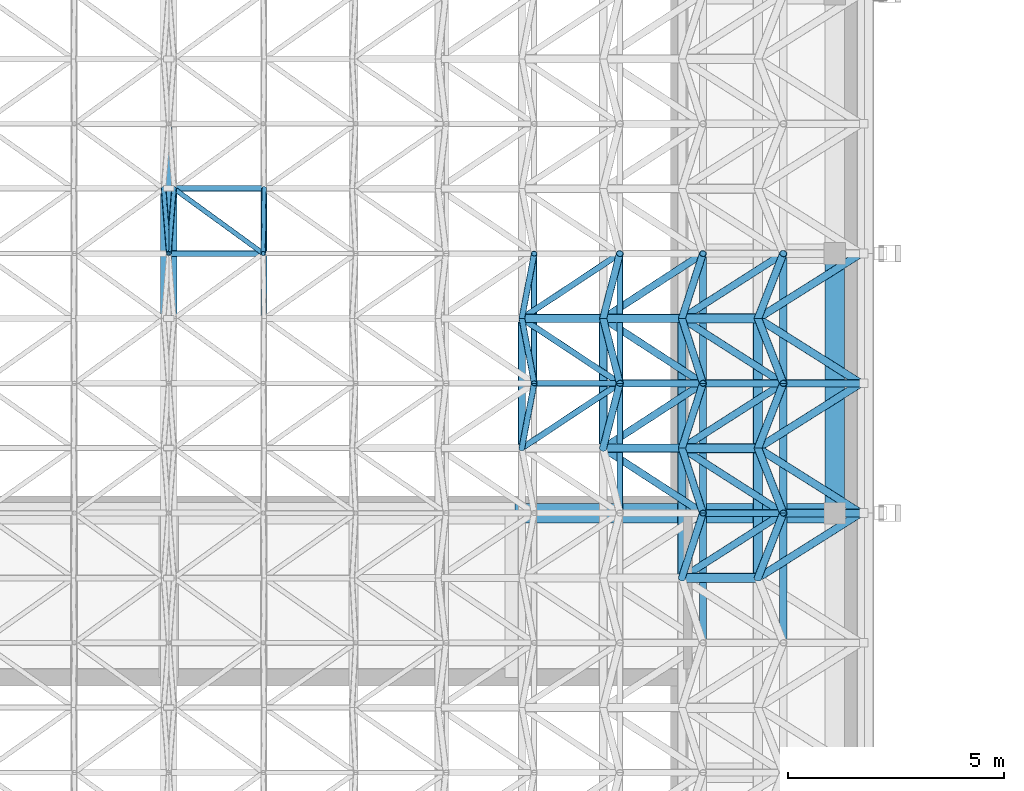
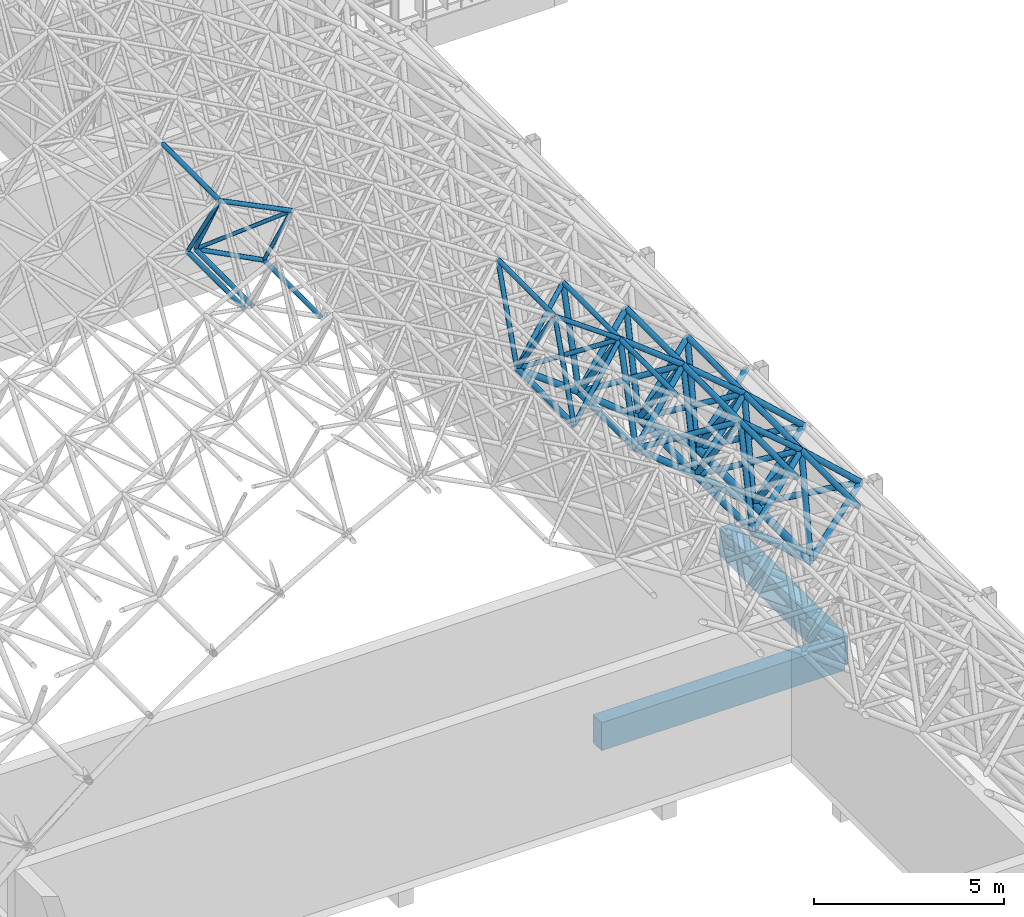
# One storey, part 21 of 141: 70 members, 2 beams.
"""IFC4 building model written with IfcOpenShell, lengths in metres."""

import ifcopenshell
import ifcopenshell.guid

model = None  # the IFC model being written
_history = None  # IfcOwnerHistory: only IFC2X3 demands one
_inside = {}  # id of a spatial element -> (the spatial element, [elements in it])
_under = {}  # id of a project, library or spatial element -> (it, [spatial elements below it])
_declared = {}  # id of a project -> (the project, [libraries it declares])
_typed = {}  # id of a type object -> (the type object, [elements of that type])
_made_of = {}  # id of a material, layer set ... -> (it, [elements and type objects made of it])


def new_model(schema):
    """Start an empty IFC model of exactly this schema.

    Asked for "IFC4X3", IfcOpenShell would pick the latest addendum, in which some entities
    have other attributes; the version numbers below select the first issue.
    IFC2X3 requires an IfcOwnerHistory on every rooted entity: one is made here for all.
    """
    global model, _history
    if schema == "IFC4X3":
        model = ifcopenshell.file(schema_version=(4, 3, 0, 0))
    else:
        model = ifcopenshell.file(schema=schema)
    _inside.clear()
    _under.clear()
    _declared.clear()
    _typed.clear()
    _made_of.clear()
    _history = None
    if model.schema == "IFC2X3":
        org = make("IfcOrganization", Name="unknown")
        user = make(
            "IfcPersonAndOrganization",
            ThePerson=make("IfcPerson", FamilyName="unknown"),
            TheOrganization=org,
        )
        app = make(
            "IfcApplication",
            ApplicationDeveloper=org,
            Version="unknown",
            ApplicationFullName="unknown",
            ApplicationIdentifier="unknown",
        )
        _history = make(
            "IfcOwnerHistory",
            OwningUser=user,
            OwningApplication=app,
            ChangeAction="ADDED",
            CreationDate=0,
        )
    return model


def make(cls, **values):
    """One entity of the class cls with the attributes given. An attribute that is None is left unset."""
    return model.create_entity(
        cls, **{name: value for name, value in values.items() if value is not None}
    )


def rooted(cls, **values):
    """An entity with a GlobalId (a new one), such as an element, a storey or a relation."""
    return make(cls, GlobalId=ifcopenshell.guid.new(), OwnerHistory=_history, **values)


def si_unit(unit_type, name, prefix=None):
    """IfcSIUnit, for example si_unit("LENGTHUNIT", "METRE", prefix="MILLI")."""
    return make("IfcSIUnit", UnitType=unit_type, Prefix=prefix, Name=name)


def assignment(units):
    """IfcUnitAssignment: the units of a project."""
    return None if units is None else make("IfcUnitAssignment", Units=units)


def point(xyz):
    """IfcCartesianPoint."""
    return None if xyz is None else make("IfcCartesianPoint", Coordinates=xyz)


def direction(xyz):
    """IfcDirection."""
    return None if xyz is None else make("IfcDirection", DirectionRatios=xyz)


def frame(location, z_axis=None, x_axis=None):
    """IfcAxis2Placement3D, a coordinate frame: its origin and axes. An axis left out is left unset."""
    return make(
        "IfcAxis2Placement3D",
        Location=point(location),
        Axis=direction(z_axis),
        RefDirection=direction(x_axis),
    )


def frame_2d(location, x_axis=None):
    """IfcAxis2Placement2D, a coordinate frame in the plane: its origin and x axis."""
    return make(
        "IfcAxis2Placement2D", Location=point(location), RefDirection=direction(x_axis)
    )


def origin():
    """The frame at (0, 0, 0) with its axes left unset."""
    return frame((0.0, 0.0, 0.0))


def origin_2d():
    """The frame at (0, 0) in the plane with its x axis left unset."""
    return frame_2d((0.0, 0.0))


def place(relative_to, where):
    """IfcLocalPlacement: puts the frame where relative to a parent placement (None: the world)."""
    return make(
        "IfcLocalPlacement", PlacementRelTo=relative_to, RelativePlacement=where
    )


def context(
    kind, dimensions, precision=None, world=None, true_north=None, identifier=None
):
    """IfcGeometricRepresentationContext, for example the 3D "Model" context."""
    return make(
        "IfcGeometricRepresentationContext",
        ContextIdentifier=identifier,
        ContextType=kind,
        CoordinateSpaceDimension=dimensions,
        Precision=precision,
        WorldCoordinateSystem=world,
        TrueNorth=true_north,
    )


def subcontext(parent, identifier, kind, view, scale=None):
    """IfcGeometricRepresentationSubContext, for example "Body" below "Model"."""
    return make(
        "IfcGeometricRepresentationSubContext",
        ContextIdentifier=identifier,
        ContextType=kind,
        ParentContext=parent,
        TargetScale=scale,
        TargetView=view,
    )


def project(units=None, contexts=None):
    """IfcProject with its units and contexts."""
    return rooted(
        "IfcProject",
        Name="project",
        RepresentationContexts=contexts,
        UnitsInContext=assignment(units),
    )


def spatial(cls, under=None, at=None, **own):
    """A site, building, storey or space (cls), placed at a placement, below another one or the project."""
    s = rooted(cls, ObjectPlacement=at, **own)
    if under is not None:
        _under.setdefault(under.id(), (under, []))[1].append(s)
    return s


def profile(cls, at=None, kind="AREA", **sizes):
    """A parametric profile (cls). Its sizes go by their IFC names, for example OverallWidth=200.0."""
    return make(cls, ProfileType=kind, Position=at, **sizes)


def rectangle(**sizes):
    """IfcRectangleProfileDef."""
    return profile("IfcRectangleProfileDef", **sizes)


def hollow_circle(**sizes):
    """IfcCircleHollowProfileDef."""
    return profile("IfcCircleHollowProfileDef", **sizes)


def extrude(swept, where, along, depth):
    """IfcExtrudedAreaSolid: the profile swept, set in the frame where, extruded along a direction by depth."""
    return make(
        "IfcExtrudedAreaSolid",
        SweptArea=swept,
        Position=where,
        ExtrudedDirection=direction(along),
        Depth=depth,
    )


def shape(context_of_items, identifier, shape_type, items):
    """IfcShapeRepresentation: the items that make up one representation, for example the "Body"."""
    return make(
        "IfcShapeRepresentation",
        ContextOfItems=context_of_items,
        RepresentationIdentifier=identifier,
        RepresentationType=shape_type,
        Items=items,
    )


def material(Name=None, Category=None):
    """IfcMaterial."""
    return make("IfcMaterial", Name=Name, Category=Category)


def material_profile(
    of_material, cross_section, Name=None, Category=None, Priority=None
):
    """IfcMaterialProfile: a cross section and its material."""
    return make(
        "IfcMaterialProfile",
        Name=Name,
        Material=of_material,
        Profile=cross_section,
        Priority=Priority,
        Category=Category,
    )


def profile_set(profiles, Name=None, composite=None):
    """IfcMaterialProfileSet."""
    return make(
        "IfcMaterialProfileSet",
        Name=Name,
        MaterialProfiles=profiles,
        CompositeProfile=composite,
    )


def made_of(thing, what):
    """Note that an element or type object is made of a material, layer set ...; save() writes the relation."""
    if what is not None:
        _made_of.setdefault(what.id(), (what, []))[1].append(thing)
    return thing


def type_object(cls, material=None, **own):
    """A type object (cls), such as IfcWallType, which elements share."""
    return made_of(rooted(cls, **own), material)


def element(
    cls,
    number,
    at=None,
    inside=None,
    cuts=None,
    type_object=None,
    material=None,
    context=None,
    identifier="Body",
    shape_type=None,
    held_by="IfcProductDefinitionShape",
    body=None,
    shapes=None,
    **own,
):
    """One element of the class cls, such as IfcWall. Its Tag is "e" and its number.

    at: its placement. inside: the storey or other place that contains it. cuts: it is an
    opening in that element (IfcRelVoidsElement). A single representation is given by context,
    identifier, shape_type and body (its items); several are given by shapes. held_by: the class
    of the entity that holds the representations. save() writes the other relations.
    """
    e = rooted(cls, Tag="e%d" % number, ObjectPlacement=at, **own)
    if body is not None:
        shapes = [shape(context, identifier, shape_type, body)]
    if shapes is not None:
        e.Representation = make(held_by, Representations=shapes)
    if inside is not None:
        _inside.setdefault(inside.id(), (inside, []))[1].append(e)
    if cuts is not None:
        rooted(
            "IfcRelVoidsElement", RelatingBuildingElement=cuts, RelatedOpeningElement=e
        )
    if type_object is not None:
        _typed.setdefault(type_object.id(), (type_object, []))[1].append(e)
    return made_of(e, material)


def aggregate(whole, parts):
    """IfcRelAggregates: a whole, such as a stair, and the parts it consists of."""
    return rooted("IfcRelAggregates", RelatingObject=whole, RelatedObjects=parts)


def save(model, path):
    """Write the relations noted so far, then the file.

    IfcRelAggregates (storeys below a building ...), IfcRelContainedInSpatialStructure (elements
    in a storey), IfcRelDefinesByType, IfcRelAssociatesMaterial and IfcRelDeclares: one each for
    every whole, place, type object, material and project.
    """
    for whole, parts in _under.values():
        aggregate(whole, parts)
    for where, things in _inside.values():
        rooted(
            "IfcRelContainedInSpatialStructure",
            RelatedElements=things,
            RelatingStructure=where,
        )
    for kind, things in _typed.values():
        rooted("IfcRelDefinesByType", RelatedObjects=things, RelatingType=kind)
    for what, things in _made_of.values():
        rooted("IfcRelAssociatesMaterial", RelatedObjects=things, RelatingMaterial=what)
    for by, libraries in _declared.values():
        rooted("IfcRelDeclares", RelatingContext=by, RelatedDefinitions=libraries)
    model.write(path)


model = new_model("IFC4")

# Units and contexts
model_context = context("Model", 3, precision=1e-05, world=origin(), true_north=direction((0.0, 1.0)))
body_context = subcontext(model_context, "Body", "Model", "MODEL_VIEW")
ifc_project = project(units=[si_unit("LENGTHUNIT", "METRE"), si_unit("AREAUNIT", "SQUARE_METRE"), si_unit("VOLUMEUNIT", "CUBIC_METRE"), si_unit("PLANEANGLEUNIT", "RADIAN"), si_unit("MASSUNIT", "GRAM", prefix="KILO")], contexts=[model_context])

# Site, building, storey
site_placement = place(None, origin())
site = spatial("IfcSite", under=ifc_project, at=site_placement, CompositionType="ELEMENT")
building_placement = place(site_placement, origin())
building = spatial("IfcBuilding", under=site, at=building_placement, Name="Lantern Court Media Centre", CompositionType="ELEMENT")
storey_placement = place(building_placement, frame((0.0, 0.0, 9.60009765625)))
storey = spatial("IfcBuildingStorey", under=building, at=storey_placement, Name="L02", CompositionType="ELEMENT", Elevation=9.60009765625)

# Members
ifc_material_1 = material(Name="Steel S355J2 (EN 10025-2)", Category="steel")
ifc_material_profile_1 = material_profile(ifc_material_1, hollow_circle(Radius=0.06982421875, WallThickness=0.0048828125, at=origin_2d()), Name="Cinema Hall bottom CHS 139.7x5")
ifc_profile_set_1 = profile_set([ifc_material_profile_1], Name="Steel S355J2 (EN 10025-2)")
member_type_1 = type_object("IfcMemberType", Name="Cinema Hall bottom CHS 139.7x5", PredefinedType="CHORD", material=ifc_profile_set_1)
for number, where, z_axis, x_axis, name in (
    (1, (15.87939453125, 20.5, 13.298583984375), (0.0, 1.0, 0.0), (-1.0, 0.0, 0.0), "Cinema Hall bottom chord 08-08"),
    (2, (16.12060546875, 20.5, 13.298583984375), (0.0, 1.0, 0.0), (-1.0, 0.0, 0.0), "Cinema Hall bottom chord 09-08"),
):
    element("IfcMember", number, at=place(storey_placement, frame(where, z_axis=z_axis, x_axis=x_axis)), inside=storey, type_object=member_type_1, Name=name, PredefinedType="CHORD", context=body_context, shape_type="SweptSolid", body=[
        extrude(hollow_circle(Radius=0.06982421875, WallThickness=0.0048828125, at=origin_2d()), origin(), (0.0, 0.0, 1.0), 3.0),
    ])
ifc_material_profile_2 = material_profile(ifc_material_1, hollow_circle(Radius=0.06982421875, WallThickness=0.00634765625, at=origin_2d()), Name="Cinema Hall bottom CHS 139.7x6.3")
ifc_profile_set_2 = profile_set([ifc_material_profile_2], Name="Steel S355J2 (EN 10025-2)")
member_type_2 = type_object("IfcMemberType", Name="Cinema Hall bottom CHS 139.7x6.3", PredefinedType="CHORD", material=ifc_profile_set_2)
member_1_placement = place(storey_placement, frame((18.203125, 20.5, 12.21337890625), z_axis=(0.0, 1.0, 0.0), x_axis=(-1.0, 0.0, 0.0)))
element("IfcMember", 3, at=member_1_placement, inside=storey, type_object=member_type_2, Name="Cinema Hall bottom chord 10-08", PredefinedType="CHORD", context=body_context, shape_type="SweptSolid", body=[
    extrude(hollow_circle(Radius=0.06982421875, WallThickness=0.00634765625, at=origin_2d()), origin(), (0.0, 0.0, 1.0), 3.0),
])
member_2_placement = place(storey_placement, frame((16.12060546875, 23.5, 13.298583984375), z_axis=(0.88681645353, 0.0, -0.462121821329), x_axis=(0.0, 1.0, 0.0)))
element("IfcMember", 4, at=member_2_placement, inside=storey, type_object=member_type_2, Name="Cinema Hall bottom chord 09-09 across", PredefinedType="CHORD", context=body_context, shape_type="SweptSolid", body=[
    extrude(hollow_circle(Radius=0.06982421875, WallThickness=0.00634765625, at=origin_2d()), origin(), (0.0, 0.0, 1.0), 2.348388671875),
])
ifc_material_profile_3 = material_profile(ifc_material_1, hollow_circle(Radius=0.084228515625, WallThickness=0.008056640625, at=origin_2d()), Name="Cinema Hall bottom CHS 168.3x8")
ifc_profile_set_3 = profile_set([ifc_material_profile_3], Name="Steel S355J2 (EN 10025-2)")
member_type_3 = type_object("IfcMemberType", Name="Cinema Hall bottom CHS 168.3x8", PredefinedType="CHORD", material=ifc_profile_set_3)
member_3_placement = place(storey_placement, frame((24.162353515625, 17.5, 8.463623046875), z_axis=(0.0, 1.0, 0.0), x_axis=(-1.0, 0.0, 0.0)))
element("IfcMember", 5, at=member_3_placement, inside=storey, type_object=member_type_3, Name="Cinema Hall bottom chord 13-07", PredefinedType="CHORD", context=body_context, shape_type="SweptSolid", body=[
    extrude(hollow_circle(Radius=0.084228515625, WallThickness=0.008056640625, at=origin_2d()), origin(), (0.0, 0.0, 1.0), 3.0),
])
ifc_material_profile_4 = material_profile(ifc_material_1, hollow_circle(Radius=0.096923828125, WallThickness=0.010009765625, at=origin_2d()), Name="Cinema Hall bottom CHS 193.7x10")
ifc_profile_set_4 = profile_set([ifc_material_profile_4], Name="Steel S355J2 (EN 10025-2)")
member_type_4 = type_object("IfcMemberType", Name="Cinema Hall bottom CHS 193.7x10", PredefinedType="CHORD", material=ifc_profile_set_4)
for number, where, z_axis, x_axis, name in (
    (6, (27.8623046875, 14.5, 5.57275390625), (0.0, 1.0, 0.0), (-1.0, 0.0, 0.0), "Cinema Hall bottom chord 15-06"),
    (7, (27.8623046875, 17.5, 5.57275390625), (0.0, 1.0, 0.0), (-1.0, 0.0, 0.0), "Cinema Hall bottom chord 15-07"),
):
    element("IfcMember", number, at=place(storey_placement, frame(where, z_axis=z_axis, x_axis=x_axis)), inside=storey, type_object=member_type_4, Name=name, PredefinedType="CHORD", context=body_context, shape_type="SweptSolid", body=[
        extrude(hollow_circle(Radius=0.096923828125, WallThickness=0.010009765625, at=origin_2d()), origin(), (0.0, 0.0, 1.0), 3.0),
    ])
for number, where, z_axis, x_axis, name in (
    (8, (26.041748046875, 17.5, 7.0556640625), (0.775340578175, 0.0, -0.63154333805), (0.0, 1.0, 0.0), "Cinema Hall bottom chord 14-07 across"),
    (9, (26.041748046875, 20.5, 7.0556640625), (0.775340578175, 0.0, -0.63154333805), (0.0, 1.0, 0.0), "Cinema Hall bottom chord 14-08 across"),
):
    element("IfcMember", number, at=place(storey_placement, frame(where, z_axis=z_axis, x_axis=x_axis)), inside=storey, type_object=member_type_4, Name=name, PredefinedType="CHORD", context=body_context, shape_type="SweptSolid", body=[
        extrude(hollow_circle(Radius=0.096923828125, WallThickness=0.010009765625, at=origin_2d()), origin(), (0.0, 0.0, 1.0), 2.34814453125),
    ])
ifc_material_profile_5 = material_profile(ifc_material_1, hollow_circle(Radius=0.096923828125, WallThickness=0.008056640625, at=origin_2d()), Name="Cinema Hall bottom CHS 193.7x8")
ifc_profile_set_5 = profile_set([ifc_material_profile_5], Name="Steel S355J2 (EN 10025-2)")
member_type_5 = type_object("IfcMemberType", Name="Cinema Hall bottom CHS 193.7x8", PredefinedType="CHORD", material=ifc_profile_set_5)
member_4_placement = place(storey_placement, frame((26.041748046875, 17.5, 7.0556640625), z_axis=(0.0, 1.0, 0.0), x_axis=(-1.0, 0.0, 0.0)))
element("IfcMember", 10, at=member_4_placement, inside=storey, type_object=member_type_5, Name="Cinema Hall bottom chord 14-07", PredefinedType="CHORD", context=body_context, shape_type="SweptSolid", body=[
    extrude(hollow_circle(Radius=0.096923828125, WallThickness=0.008056640625, at=origin_2d()), origin(), (0.0, 0.0, 1.0), 3.0),
])
member_5_placement = place(storey_placement, frame((24.162353515625, 20.5, 8.463623046875), z_axis=(0.800324254575, 0.0, -0.599567417009), x_axis=(0.0, 1.0, 0.0)))
element("IfcMember", 11, at=member_5_placement, inside=storey, type_object=member_type_5, Name="Cinema Hall bottom chord 13-08 across", PredefinedType="CHORD", context=body_context, shape_type="SweptSolid", body=[
    extrude(hollow_circle(Radius=0.096923828125, WallThickness=0.008056640625, at=origin_2d()), origin(), (0.0, 0.0, 1.0), 2.348388671875),
])
ifc_material_profile_6 = material_profile(ifc_material_1, hollow_circle(Radius=0.109619140625, WallThickness=0.010009765625, at=origin_2d()), Name="Cinema Hall bottom CHS 219.1x10")
ifc_profile_set_6 = profile_set([ifc_material_profile_6], Name="Steel S355J2 (EN 10025-2)")
member_type_6 = type_object("IfcMemberType", Name="Cinema Hall bottom CHS 219.1x10", PredefinedType="CHORD", material=ifc_profile_set_6)
for number, where, z_axis, x_axis, name in (
    (12, (29.621337890625, 14.5, 4.016845703125), (0.0, 1.0, 0.0), (-1.0, 0.0, 0.0), "Cinema Hall bottom chord 16-06"),
    (13, (29.621337890625, 17.5, 4.016845703125), (0.0, 1.0, 0.0), (-1.0, 0.0, 0.0), "Cinema Hall bottom chord 16-07"),
):
    element("IfcMember", number, at=place(storey_placement, frame(where, z_axis=z_axis, x_axis=x_axis)), inside=storey, type_object=member_type_6, Name=name, PredefinedType="CHORD", context=body_context, shape_type="SweptSolid", body=[
        extrude(hollow_circle(Radius=0.109619140625, WallThickness=0.010009765625, at=origin_2d()), origin(), (0.0, 0.0, 1.0), 3.0),
    ])
for number, where, z_axis, x_axis, name in (
    (14, (27.8623046875, 14.5, 5.57275390625), (0.749030294531, 0.0, -0.662535748375), (0.0, 1.0, 0.0), "Cinema Hall bottom chord 15-06 across"),
    (15, (27.8623046875, 17.5, 5.57275390625), (0.749030294531, 0.0, -0.662535748375), (0.0, 1.0, 0.0), "Cinema Hall bottom chord 15-07 across"),
    (16, (27.8623046875, 20.5, 5.57275390625), (0.749030294531, 0.0, -0.662535748375), (0.0, 1.0, 0.0), "Cinema Hall bottom chord 15-08 across"),
):
    element("IfcMember", number, at=place(storey_placement, frame(where, z_axis=z_axis, x_axis=x_axis)), inside=storey, type_object=member_type_6, Name=name, PredefinedType="CHORD", context=body_context, shape_type="SweptSolid", body=[
        extrude(hollow_circle(Radius=0.109619140625, WallThickness=0.010009765625, at=origin_2d()), origin(), (0.0, 0.0, 1.0), 2.348388671875),
    ])
ifc_material_profile_7 = material_profile(ifc_material_1, hollow_circle(Radius=0.05712890625, WallThickness=0.0048828125, at=origin_2d()), Name="Cinema Hall diagonal CHS 114.3x5")
ifc_profile_set_7 = profile_set([ifc_material_profile_7], Name="Steel S355J2 (EN 10025-2)")
member_type_7 = type_object("IfcMemberType", Name="Cinema Hall diagonal CHS 114.3x5", PredefinedType="BRACE", material=ifc_profile_set_7)
for number, where, z_axis, x_axis, name in (
    (17, (15.87939453125, 23.5, 13.298583984375), (0.041317175069, -0.513871910171, 0.85687137365), (0.996783215266, 0.080145004613, 0.0), "Cinema Hall diagonal 08-09-2"),
    (18, (16.12060546875, 23.5, 13.298583984375), (-0.041317175069, -0.513871910171, 0.85687137365), (0.996783215266, -0.080145004613, 0.0), "Cinema Hall diagonal 09-09-1"),
):
    element("IfcMember", number, at=place(storey_placement, frame(where, z_axis=z_axis, x_axis=x_axis)), inside=storey, type_object=member_type_7, Name=name, PredefinedType="BRACE", context=body_context, shape_type="SweptSolid", body=[
        extrude(hollow_circle(Radius=0.05712890625, WallThickness=0.0048828125, at=origin_2d()), origin(), (0.0, 0.0, 1.0), 2.9189453125),
    ])
member_6_placement = place(storey_placement, frame((16.12060546875, 23.5, 13.298583984375), z_axis=(0.706879781117, -0.513851085564, 0.486084392789), x_axis=(0.587989591395, 0.808868493892, 0.0)))
element("IfcMember", 19, at=member_6_placement, inside=storey, type_object=member_type_7, Name="Cinema Hall diagonal 09-09-2", PredefinedType="BRACE", context=body_context, shape_type="SweptSolid", body=[
    extrude(hollow_circle(Radius=0.05712890625, WallThickness=0.0048828125, at=origin_2d()), origin(), (0.0, 0.0, 1.0), 2.919189453125),
])
ifc_material_profile_8 = material_profile(ifc_material_1, hollow_circle(Radius=0.05712890625, WallThickness=0.00634765625, at=origin_2d()), Name="Cinema Hall diagonal CHS 114.3x6.3")
ifc_profile_set_8 = profile_set([ifc_material_profile_8], Name="Steel S355J2 (EN 10025-2)")
member_type_8 = type_object("IfcMemberType", Name="Cinema Hall diagonal CHS 114.3x6.3", PredefinedType="BRACE", material=ifc_profile_set_8)
member_7_placement = place(storey_placement, frame((18.203125, 23.5, 12.21337890625), z_axis=(-0.006523580306, -0.513857402591, 0.857850810283), x_axis=(0.99991942426, -0.012694289566, 0.0)))
element("IfcMember", 20, at=member_7_placement, inside=storey, type_object=member_type_8, Name="Cinema Hall diagonal 10-09-1", PredefinedType="BRACE", context=body_context, shape_type="SweptSolid", body=[
    extrude(hollow_circle(Radius=0.05712890625, WallThickness=0.00634765625, at=origin_2d()), origin(), (0.0, 0.0, 1.0), 2.919189453125),
])
ifc_material_profile_9 = material_profile(ifc_material_1, hollow_circle(Radius=0.06982421875, WallThickness=0.008056640625, at=origin_2d()), Name="Cinema Hall diagonal CHS 139.7x8")
ifc_profile_set_9 = profile_set([ifc_material_profile_9], Name="Steel S355J2 (EN 10025-2)")
member_type_9 = type_object("IfcMemberType", Name="Cinema Hall diagonal CHS 139.7x8", PredefinedType="BRACE", material=ifc_profile_set_9)
member_8_placement = place(storey_placement, frame((24.162353515625, 17.5, 8.463623046875), z_axis=(0.776210877705, 0.513849761084, 0.365315064521), x_axis=(-0.552001963744, 0.833842810141, 0.0)))
element("IfcMember", 21, at=member_8_placement, inside=storey, type_object=member_type_9, Name="Cinema Hall diagonal 13-07-3", PredefinedType="BRACE", context=body_context, shape_type="SweptSolid", body=[
    extrude(hollow_circle(Radius=0.06982421875, WallThickness=0.008056640625, at=origin_2d()), origin(), (0.0, 0.0, 1.0), 2.919189453125),
])
for number, where, z_axis, x_axis, name in (
    (22, (24.162353515625, 17.5, 8.463623046875), (0.09785614588, 0.51387022247, 0.852268484207), (-0.982346962135, 0.187068025016, 0.0), "Cinema Hall diagonal 13-07-4"),
    (23, (24.162353515625, 20.5, 8.463623046875), (0.09785614588, -0.51387022247, 0.852268484207), (0.982346962135, 0.187068025016, 0.0), "Cinema Hall diagonal 13-08-1"),
):
    element("IfcMember", number, at=place(storey_placement, frame(where, z_axis=z_axis, x_axis=x_axis)), inside=storey, type_object=member_type_9, Name=name, PredefinedType="BRACE", context=body_context, shape_type="SweptSolid", body=[
        extrude(hollow_circle(Radius=0.06982421875, WallThickness=0.008056640625, at=origin_2d()), origin(), (0.0, 0.0, 1.0), 2.9189453125),
    ])
for number, where, z_axis, x_axis, name in (
    (24, (24.162353515625, 20.5, 8.463623046875), (0.776210877705, -0.513849761084, 0.365315064521), (0.552001963744, 0.833842810141, 0.0), "Cinema Hall diagonal 13-08-2"),
    (25, (24.162353515625, 20.5, 8.463623046875), (0.776210877705, 0.513849761084, 0.365315064521), (-0.552001963744, 0.833842810141, 0.0), "Cinema Hall diagonal 13-08-3"),
):
    element("IfcMember", number, at=place(storey_placement, frame(where, z_axis=z_axis, x_axis=x_axis)), inside=storey, type_object=member_type_9, Name=name, PredefinedType="BRACE", context=body_context, shape_type="SweptSolid", body=[
        extrude(hollow_circle(Radius=0.06982421875, WallThickness=0.008056640625, at=origin_2d()), origin(), (0.0, 0.0, 1.0), 2.919189453125),
    ])
member_9_placement = place(storey_placement, frame((24.162353515625, 20.5, 8.463623046875), z_axis=(0.09785614588, 0.51387022247, 0.852268484207), x_axis=(-0.982346962135, 0.187068025016, 0.0)))
element("IfcMember", 26, at=member_9_placement, inside=storey, type_object=member_type_9, Name="Cinema Hall diagonal 13-08-4", PredefinedType="BRACE", context=body_context, shape_type="SweptSolid", body=[
    extrude(hollow_circle(Radius=0.06982421875, WallThickness=0.008056640625, at=origin_2d()), origin(), (0.0, 0.0, 1.0), 2.9189453125),
])
ifc_material_profile_10 = material_profile(ifc_material_1, hollow_circle(Radius=0.084228515625, WallThickness=0.010009765625, at=origin_2d()), Name="Cinema Hall diagonal CHS 168.3x10")
ifc_profile_set_10 = profile_set([ifc_material_profile_10], Name="Steel S355J2 (EN 10025-2)")
member_type_10 = type_object("IfcMemberType", Name="Cinema Hall diagonal CHS 168.3x10", PredefinedType="BRACE", material=ifc_profile_set_10)
member_10_placement = place(storey_placement, frame((27.8623046875, 14.5, 5.57275390625), z_axis=(0.803309435106, 0.513850408047, 0.301084223465), x_axis=(-0.538854579896, 0.842398802068, 0.0)))
element("IfcMember", 27, at=member_10_placement, inside=storey, type_object=member_type_10, Name="Cinema Hall diagonal 15-06-3", PredefinedType="BRACE", context=body_context, shape_type="SweptSolid", body=[
    extrude(hollow_circle(Radius=0.084228515625, WallThickness=0.010009765625, at=origin_2d()), origin(), (0.0, 0.0, 1.0), 2.919189453125),
])
for number, where, z_axis, x_axis, name in (
    (28, (27.8623046875, 14.5, 5.57275390625), (0.166695380465, 0.513886812634, 0.841506383774), (-0.951206854862, 0.308553916299, 0.0), "Cinema Hall diagonal 15-06-4"),
    (29, (27.8623046875, 17.5, 5.57275390625), (0.166695380465, -0.513886812634, 0.841506383774), (0.951206854862, 0.308553916299, 0.0), "Cinema Hall diagonal 15-07-1"),
):
    element("IfcMember", number, at=place(storey_placement, frame(where, z_axis=z_axis, x_axis=x_axis)), inside=storey, type_object=member_type_10, Name=name, PredefinedType="BRACE", context=body_context, shape_type="SweptSolid", body=[
        extrude(hollow_circle(Radius=0.084228515625, WallThickness=0.010009765625, at=origin_2d()), origin(), (0.0, 0.0, 1.0), 2.9189453125),
    ])
for number, where, z_axis, x_axis, name in (
    (30, (27.8623046875, 17.5, 5.57275390625), (0.803309435106, -0.513850408047, 0.301084223465), (0.538854579896, 0.842398802068, 0.0), "Cinema Hall diagonal 15-07-2"),
    (31, (27.8623046875, 17.5, 5.57275390625), (0.803309435106, 0.513850408047, 0.301084223465), (-0.538854579896, 0.842398802068, 0.0), "Cinema Hall diagonal 15-07-3"),
):
    element("IfcMember", number, at=place(storey_placement, frame(where, z_axis=z_axis, x_axis=x_axis)), inside=storey, type_object=member_type_10, Name=name, PredefinedType="BRACE", context=body_context, shape_type="SweptSolid", body=[
        extrude(hollow_circle(Radius=0.084228515625, WallThickness=0.010009765625, at=origin_2d()), origin(), (0.0, 0.0, 1.0), 2.919189453125),
    ])
for number, where, z_axis, x_axis, name in (
    (32, (27.8623046875, 17.5, 5.57275390625), (0.166695380465, 0.513886812634, 0.841506383774), (-0.951206854862, 0.308553916299, 0.0), "Cinema Hall diagonal 15-07-4"),
    (33, (27.8623046875, 20.5, 5.57275390625), (0.166695380465, -0.513886812634, 0.841506383774), (0.951206854862, 0.308553916299, 0.0), "Cinema Hall diagonal 15-08-1"),
):
    element("IfcMember", number, at=place(storey_placement, frame(where, z_axis=z_axis, x_axis=x_axis)), inside=storey, type_object=member_type_10, Name=name, PredefinedType="BRACE", context=body_context, shape_type="SweptSolid", body=[
        extrude(hollow_circle(Radius=0.084228515625, WallThickness=0.010009765625, at=origin_2d()), origin(), (0.0, 0.0, 1.0), 2.9189453125),
    ])
for number, where, z_axis, x_axis, name in (
    (34, (27.8623046875, 20.5, 5.57275390625), (0.803309435106, -0.513850408047, 0.301084223465), (0.538854579896, 0.842398802068, 0.0), "Cinema Hall diagonal 15-08-2"),
    (35, (27.8623046875, 20.5, 5.57275390625), (0.803309435106, 0.513850408047, 0.301084223465), (-0.538854579896, 0.842398802068, 0.0), "Cinema Hall diagonal 15-08-3"),
):
    element("IfcMember", number, at=place(storey_placement, frame(where, z_axis=z_axis, x_axis=x_axis)), inside=storey, type_object=member_type_10, Name=name, PredefinedType="BRACE", context=body_context, shape_type="SweptSolid", body=[
        extrude(hollow_circle(Radius=0.084228515625, WallThickness=0.010009765625, at=origin_2d()), origin(), (0.0, 0.0, 1.0), 2.919189453125),
    ])
member_11_placement = place(storey_placement, frame((27.8623046875, 20.5, 5.57275390625), z_axis=(0.166695380465, 0.513886812634, 0.841506383774), x_axis=(-0.951206854862, 0.308553916299, 0.0)))
element("IfcMember", 36, at=member_11_placement, inside=storey, type_object=member_type_10, Name="Cinema Hall diagonal 15-08-4", PredefinedType="BRACE", context=body_context, shape_type="SweptSolid", body=[
    extrude(hollow_circle(Radius=0.084228515625, WallThickness=0.010009765625, at=origin_2d()), origin(), (0.0, 0.0, 1.0), 2.9189453125),
])
ifc_material_profile_11 = material_profile(ifc_material_1, hollow_circle(Radius=0.084228515625, WallThickness=0.008056640625, at=origin_2d()), Name="Cinema Hall diagonal CHS 168.3x8")
ifc_profile_set_11 = profile_set([ifc_material_profile_11], Name="Steel S355J2 (EN 10025-2)")
member_type_11 = type_object("IfcMemberType", Name="Cinema Hall diagonal CHS 168.3x8", PredefinedType="BRACE", material=ifc_profile_set_11)
for number, where, z_axis, x_axis, name in (
    (37, (26.041748046875, 17.5, 7.0556640625), (0.790394065187, -0.513881601747, 0.333471019884), (0.545081898441, 0.838382802777, 0.0), "Cinema Hall diagonal 14-07-2"),
    (38, (26.041748046875, 17.5, 7.0556640625), (0.790394065187, 0.513881601747, 0.333471019884), (-0.545081898441, 0.838382802777, 0.0), "Cinema Hall diagonal 14-07-3"),
):
    element("IfcMember", number, at=place(storey_placement, frame(where, z_axis=z_axis, x_axis=x_axis)), inside=storey, type_object=member_type_11, Name=name, PredefinedType="BRACE", context=body_context, shape_type="SweptSolid", body=[
        extrude(hollow_circle(Radius=0.084228515625, WallThickness=0.008056640625, at=origin_2d()), origin(), (0.0, 0.0, 1.0), 2.9189453125),
    ])
for number, where, z_axis, x_axis, name in (
    (39, (26.041748046875, 17.5, 7.0556640625), (0.132389678542, 0.513835871739, 0.847611744804), (-0.968374432366, 0.249501420318, 0.0), "Cinema Hall diagonal 14-07-4"),
    (40, (26.041748046875, 20.5, 7.0556640625), (0.132389678542, -0.513835871739, 0.847611744804), (0.968374432366, 0.249501420318, 0.0), "Cinema Hall diagonal 14-08-1"),
):
    element("IfcMember", number, at=place(storey_placement, frame(where, z_axis=z_axis, x_axis=x_axis)), inside=storey, type_object=member_type_11, Name=name, PredefinedType="BRACE", context=body_context, shape_type="SweptSolid", body=[
        extrude(hollow_circle(Radius=0.084228515625, WallThickness=0.008056640625, at=origin_2d()), origin(), (0.0, 0.0, 1.0), 2.919189453125),
    ])
for number, where, z_axis, x_axis, name in (
    (41, (26.041748046875, 20.5, 7.0556640625), (0.790394065187, -0.513881601747, 0.333471019884), (0.545081898441, 0.838382802777, 0.0), "Cinema Hall diagonal 14-08-2"),
    (42, (26.041748046875, 20.5, 7.0556640625), (0.790394065187, 0.513881601747, 0.333471019884), (-0.545081898441, 0.838382802777, 0.0), "Cinema Hall diagonal 14-08-3"),
):
    element("IfcMember", number, at=place(storey_placement, frame(where, z_axis=z_axis, x_axis=x_axis)), inside=storey, type_object=member_type_11, Name=name, PredefinedType="BRACE", context=body_context, shape_type="SweptSolid", body=[
        extrude(hollow_circle(Radius=0.084228515625, WallThickness=0.008056640625, at=origin_2d()), origin(), (0.0, 0.0, 1.0), 2.9189453125),
    ])
member_12_placement = place(storey_placement, frame((26.041748046875, 20.5, 7.0556640625), z_axis=(0.132389678542, 0.513835871739, 0.847611744804), x_axis=(-0.968374432366, 0.249501420318, 0.0)))
element("IfcMember", 43, at=member_12_placement, inside=storey, type_object=member_type_11, Name="Cinema Hall diagonal 14-08-4", PredefinedType="BRACE", context=body_context, shape_type="SweptSolid", body=[
    extrude(hollow_circle(Radius=0.084228515625, WallThickness=0.008056640625, at=origin_2d()), origin(), (0.0, 0.0, 1.0), 2.919189453125),
])
ifc_material_profile_12 = material_profile(ifc_material_1, hollow_circle(Radius=0.0888671875, WallThickness=0.010009765625, at=origin_2d()), Name="Cinema Hall diagonal CHS 177.8x10")
ifc_profile_set_12 = profile_set([ifc_material_profile_12], Name="Steel S355J2 (EN 10025-2)")
member_type_12 = type_object("IfcMemberType", Name="Cinema Hall diagonal CHS 177.8x10", PredefinedType="BRACE", material=ifc_profile_set_12)
for number, where, z_axis, x_axis, name in (
    (44, (29.621337890625, 14.5, 4.016845703125), (0.814865608485, 0.513859622142, 0.268220671909), (-0.533404912089, 0.845860035561, 0.0), "Cinema Hall diagonal 16-06-3"),
    (45, (29.621337890625, 14.5, 4.016845703125), (0.200719513512, 0.513841954591, 0.834073211773), (-0.93145734948, 0.36385052714, 0.0), "Cinema Hall diagonal 16-06-4"),
    (46, (29.621337890625, 17.5, 4.016845703125), (0.200719513512, -0.513841954591, 0.834073211773), (0.93145734948, 0.36385052714, 0.0), "Cinema Hall diagonal 16-07-1"),
    (47, (29.621337890625, 17.5, 4.016845703125), (0.814865608485, -0.513859622142, 0.268220671909), (0.533404912089, 0.845860035561, 0.0), "Cinema Hall diagonal 16-07-2"),
    (48, (29.621337890625, 17.5, 4.016845703125), (0.814865608485, 0.513859622142, 0.268220671909), (-0.533404912089, 0.845860035561, 0.0), "Cinema Hall diagonal 16-07-3"),
    (49, (29.621337890625, 17.5, 4.016845703125), (0.200719513512, 0.513841954591, 0.834073211773), (-0.93145734948, 0.36385052714, 0.0), "Cinema Hall diagonal 16-07-4"),
    (50, (29.621337890625, 20.5, 4.016845703125), (0.200719513512, -0.513841954591, 0.834073211773), (0.93145734948, 0.36385052714, 0.0), "Cinema Hall diagonal 16-08-1"),
    (51, (29.621337890625, 20.5, 4.016845703125), (0.814865608485, -0.513859622142, 0.268220671909), (0.533404912089, 0.845860035561, 0.0), "Cinema Hall diagonal 16-08-2"),
    (52, (29.621337890625, 20.5, 4.016845703125), (0.814865608485, 0.513859622142, 0.268220671909), (-0.533404912089, 0.845860035561, 0.0), "Cinema Hall diagonal 16-08-3"),
    (53, (29.621337890625, 20.5, 4.016845703125), (0.200719513512, 0.513841954591, 0.834073211773), (-0.93145734948, 0.36385052714, 0.0), "Cinema Hall diagonal 16-08-4"),
):
    element("IfcMember", number, at=place(storey_placement, frame(where, z_axis=z_axis, x_axis=x_axis)), inside=storey, type_object=member_type_12, Name=name, PredefinedType="BRACE", context=body_context, shape_type="SweptSolid", body=[
        extrude(hollow_circle(Radius=0.0888671875, WallThickness=0.010009765625, at=origin_2d()), origin(), (0.0, 0.0, 1.0), 2.919189453125),
    ])
ifc_material_profile_13 = material_profile(ifc_material_1, hollow_circle(Radius=0.06982421875, WallThickness=0.0048828125, at=origin_2d()), Name="Cinema Hall top CHS 139.7x5")
ifc_profile_set_13 = profile_set([ifc_material_profile_13], Name="Steel S355J2 (EN 10025-2)")
member_type_13 = type_object("IfcMemberType", Name="Cinema Hall top CHS 139.7x5", PredefinedType="CHORD", material=ifc_profile_set_13)
member_13_placement = place(storey_placement, frame((16.0, 22.0, 15.7998046875), z_axis=(0.0, 1.0, 0.0), x_axis=(-1.0, 0.0, 0.0)))
element("IfcMember", 54, at=member_13_placement, inside=storey, type_object=member_type_13, Name="Cinema Hall top chord 09-09", PredefinedType="CHORD", context=body_context, shape_type="SweptSolid", body=[
    extrude(hollow_circle(Radius=0.06982421875, WallThickness=0.0048828125, at=origin_2d()), origin(), (0.0, 0.0, 1.0), 3.0),
])
member_14_placement = place(storey_placement, frame((16.0, 22.0, 15.7998046875), z_axis=(0.896023995237, 0.0, -0.444005630549), x_axis=(0.0, 1.0, 0.0)))
element("IfcMember", 55, at=member_14_placement, inside=storey, type_object=member_type_13, Name="Cinema Hall top chord 09-09 across", PredefinedType="CHORD", context=body_context, shape_type="SweptSolid", body=[
    extrude(hollow_circle(Radius=0.06982421875, WallThickness=0.0048828125, at=origin_2d()), origin(), (0.0, 0.0, 1.0), 2.4375),
])
ifc_material_profile_14 = material_profile(ifc_material_1, hollow_circle(Radius=0.06982421875, WallThickness=0.00634765625, at=origin_2d()), Name="Cinema Hall top CHS 139.7x6.3")
ifc_profile_set_14 = profile_set([ifc_material_profile_14], Name="Steel S355J2 (EN 10025-2)")
member_type_14 = type_object("IfcMemberType", Name="Cinema Hall top CHS 139.7x6.3", PredefinedType="CHORD", material=ifc_profile_set_14)
member_15_placement = place(storey_placement, frame((24.447998046875, 19.0, 10.951416015625), z_axis=(0.0, 1.0, 0.0), x_axis=(-1.0, 0.0, 0.0)))
element("IfcMember", 56, at=member_15_placement, inside=storey, type_object=member_type_14, Name="Cinema Hall top chord 13-08", PredefinedType="CHORD", context=body_context, shape_type="SweptSolid", body=[
    extrude(hollow_circle(Radius=0.06982421875, WallThickness=0.00634765625, at=origin_2d()), origin(), (0.0, 0.0, 1.0), 3.0),
])
ifc_material_profile_15 = material_profile(ifc_material_1, hollow_circle(Radius=0.06982421875, WallThickness=0.008056640625, at=origin_2d()), Name="Cinema Hall top CHS 139.7x8")
ifc_profile_set_15 = profile_set([ifc_material_profile_15], Name="Steel S355J2 (EN 10025-2)")
member_type_15 = type_object("IfcMemberType", Name="Cinema Hall top CHS 139.7x8", PredefinedType="CHORD", material=ifc_profile_set_15)
for number, where, z_axis, x_axis, name in (
    (57, (26.42822265625, 16.0, 9.530029296875), (0.0, 1.0, 0.0), (-1.0, 0.0, 0.0), "Cinema Hall top chord 14-07"),
    (58, (26.42822265625, 19.0, 9.530029296875), (0.0, 1.0, 0.0), (-1.0, 0.0, 0.0), "Cinema Hall top chord 14-08"),
):
    element("IfcMember", number, at=place(storey_placement, frame(where, z_axis=z_axis, x_axis=x_axis)), inside=storey, type_object=member_type_15, Name=name, PredefinedType="CHORD", context=body_context, shape_type="SweptSolid", body=[
        extrude(hollow_circle(Radius=0.06982421875, WallThickness=0.008056640625, at=origin_2d()), origin(), (0.0, 0.0, 1.0), 3.0),
    ])
member_16_placement = place(storey_placement, frame((24.447998046875, 19.0, 10.951416015625), z_axis=(0.812384562891, 0.0, -0.583122047239), x_axis=(0.0, 1.0, 0.0)))
element("IfcMember", 59, at=member_16_placement, inside=storey, type_object=member_type_15, Name="Cinema Hall top chord 13-08 across", PredefinedType="CHORD", context=body_context, shape_type="SweptSolid", body=[
    extrude(hollow_circle(Radius=0.06982421875, WallThickness=0.008056640625, at=origin_2d()), origin(), (0.0, 0.0, 1.0), 2.4375),
])
ifc_material_profile_16 = material_profile(ifc_material_1, hollow_circle(Radius=0.084228515625, WallThickness=0.010009765625, at=origin_2d()), Name="Cinema Hall top CHS 168.3x10")
ifc_profile_set_16 = profile_set([ifc_material_profile_16], Name="Steel S355J2 (EN 10025-2)")
member_type_16 = type_object("IfcMemberType", Name="Cinema Hall top CHS 168.3x10", PredefinedType="CHORD", material=ifc_profile_set_16)
for number, where, z_axis, x_axis, name in (
    (60, (30.207275390625, 13.0, 6.45166015625), (0.0, 1.0, 0.0), (-1.0, 0.0, 0.0), "Cinema Hall top chord 16-06"),
    (61, (30.207275390625, 16.0, 6.45166015625), (0.0, 1.0, 0.0), (-1.0, 0.0, 0.0), "Cinema Hall top chord 16-07"),
    (62, (30.207275390625, 19.0, 6.45166015625), (0.0, 1.0, 0.0), (-1.0, 0.0, 0.0), "Cinema Hall top chord 16-08"),
):
    element("IfcMember", number, at=place(storey_placement, frame(where, z_axis=z_axis, x_axis=x_axis)), inside=storey, type_object=member_type_16, Name=name, PredefinedType="CHORD", context=body_context, shape_type="SweptSolid", body=[
        extrude(hollow_circle(Radius=0.084228515625, WallThickness=0.010009765625, at=origin_2d()), origin(), (0.0, 0.0, 1.0), 3.0),
    ])
for number, where, z_axis, x_axis, name in (
    (63, (28.348876953125, 16.0, 8.029052734375), (0.762393833283, 0.0, -0.647113315403), (0.0, 1.0, 0.0), "Cinema Hall top chord 15-07 across"),
    (64, (28.348876953125, 19.0, 8.029052734375), (0.762393833283, 0.0, -0.647113315403), (0.0, 1.0, 0.0), "Cinema Hall top chord 15-08 across"),
):
    element("IfcMember", number, at=place(storey_placement, frame(where, z_axis=z_axis, x_axis=x_axis)), inside=storey, type_object=member_type_16, Name=name, PredefinedType="CHORD", context=body_context, shape_type="SweptSolid", body=[
        extrude(hollow_circle(Radius=0.084228515625, WallThickness=0.010009765625, at=origin_2d()), origin(), (0.0, 0.0, 1.0), 2.4375),
    ])
ifc_material_profile_17 = material_profile(ifc_material_1, hollow_circle(Radius=0.084228515625, WallThickness=0.008056640625, at=origin_2d()), Name="Cinema Hall top CHS 168.3x8")
ifc_profile_set_17 = profile_set([ifc_material_profile_17], Name="Steel S355J2 (EN 10025-2)")
member_type_17 = type_object("IfcMemberType", Name="Cinema Hall top CHS 168.3x8", PredefinedType="CHORD", material=ifc_profile_set_17)
for number, where, z_axis, x_axis, name in (
    (65, (28.348876953125, 13.0, 8.029052734375), (0.0, 1.0, 0.0), (-1.0, 0.0, 0.0), "Cinema Hall top chord 15-06"),
    (66, (28.348876953125, 16.0, 8.029052734375), (0.0, 1.0, 0.0), (-1.0, 0.0, 0.0), "Cinema Hall top chord 15-07"),
    (67, (28.348876953125, 19.0, 8.029052734375), (0.0, 1.0, 0.0), (-1.0, 0.0, 0.0), "Cinema Hall top chord 15-08"),
):
    element("IfcMember", number, at=place(storey_placement, frame(where, z_axis=z_axis, x_axis=x_axis)), inside=storey, type_object=member_type_17, Name=name, PredefinedType="CHORD", context=body_context, shape_type="SweptSolid", body=[
        extrude(hollow_circle(Radius=0.084228515625, WallThickness=0.008056640625, at=origin_2d()), origin(), (0.0, 0.0, 1.0), 3.0),
    ])
member_17_placement = place(storey_placement, frame((26.42822265625, 19.0, 9.530029296875), z_axis=(0.787931739718, 0.0, -0.615762595117), x_axis=(0.0, 1.0, 0.0)))
element("IfcMember", 68, at=member_17_placement, inside=storey, type_object=member_type_17, Name="Cinema Hall top chord 14-08 across", PredefinedType="CHORD", context=body_context, shape_type="SweptSolid", body=[
    extrude(hollow_circle(Radius=0.084228515625, WallThickness=0.008056640625, at=origin_2d()), origin(), (0.0, 0.0, 1.0), 2.4375),
])
ifc_material_profile_18 = material_profile(ifc_material_1, hollow_circle(Radius=0.0888671875, WallThickness=0.010009765625, at=origin_2d()), Name="Cinema Hall top CHS 177.8x10")
ifc_profile_set_18 = profile_set([ifc_material_profile_18], Name="Steel S355J2 (EN 10025-2)")
member_type_18 = type_object("IfcMemberType", Name="Cinema Hall top CHS 177.8x10", PredefinedType="CHORD", material=ifc_profile_set_18)
for number, where, z_axis, x_axis, name in (
    (69, (30.207275390625, 16.0, 6.45166015625), (0.735409817039, 0.0, -0.677622609572), (0.0, 1.0, 0.0), "Cinema Hall top chord 16-07 across"),
    (70, (30.207275390625, 19.0, 6.45166015625), (0.735409817039, 0.0, -0.677622609572), (0.0, 1.0, 0.0), "Cinema Hall top chord 16-08 across"),
):
    element("IfcMember", number, at=place(storey_placement, frame(where, z_axis=z_axis, x_axis=x_axis)), inside=storey, type_object=member_type_18, Name=name, PredefinedType="CHORD", context=body_context, shape_type="SweptSolid", body=[
        extrude(hollow_circle(Radius=0.0888671875, WallThickness=0.010009765625, at=origin_2d()), origin(), (0.0, 0.0, 1.0), 2.437744140625),
    ])

# Beams
ifc_material_2 = material(Name="Concrete C35", Category="concrete")
ifc_material_profile_19 = material_profile(ifc_material_2, rectangle(XDim=0.449951171875, YDim=0.89990234375, at=origin_2d()), Name="RC 450x900")
ifc_profile_set_19 = profile_set([ifc_material_profile_19], Name="Concrete C35")
beam_type = type_object("IfcBeamType", Name="RC BEAM 450x900", PredefinedType="BEAM", material=ifc_profile_set_19)
beam_1_placement = place(storey_placement, frame((24.0, 16.0, -0.4501953125), z_axis=(1.0, 0.0, 0.0), x_axis=(0.0, 1.0, 0.0)))
element("IfcBeam", 71, at=beam_1_placement, inside=storey, type_object=beam_type, Name="HB-V1-L02-FX3-3", PredefinedType="BEAM", context=body_context, shape_type="SweptSolid", body=[
    extrude(rectangle(XDim=0.449951171875, YDim=0.89990234375, at=origin_2d()), origin(), (0.0, 0.0, 1.0), 7.39990234375),
])
beam_2_placement = place(storey_placement, frame((31.39990234375, 16.0, -0.4501953125), z_axis=(0.0, 1.0, 0.0), x_axis=(-1.0, 0.0, 0.0)))
element("IfcBeam", 72, at=beam_2_placement, inside=storey, type_object=beam_type, Name="HB-V1-L02-FY4-3", PredefinedType="BEAM", context=body_context, shape_type="SweptSolid", body=[
    extrude(rectangle(XDim=0.449951171875, YDim=0.89990234375, at=origin_2d()), origin(), (0.0, 0.0, 1.0), 6.0),
])

save(model, "model.ifc")
